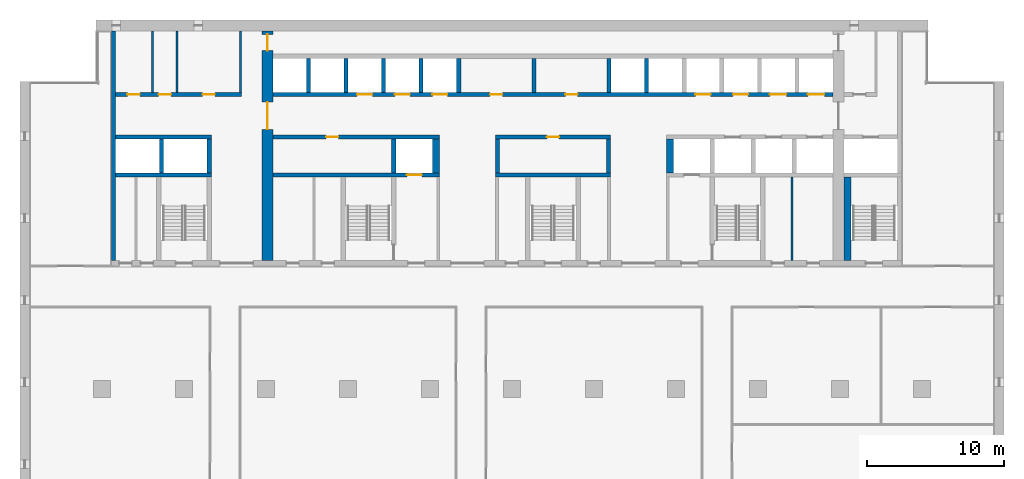
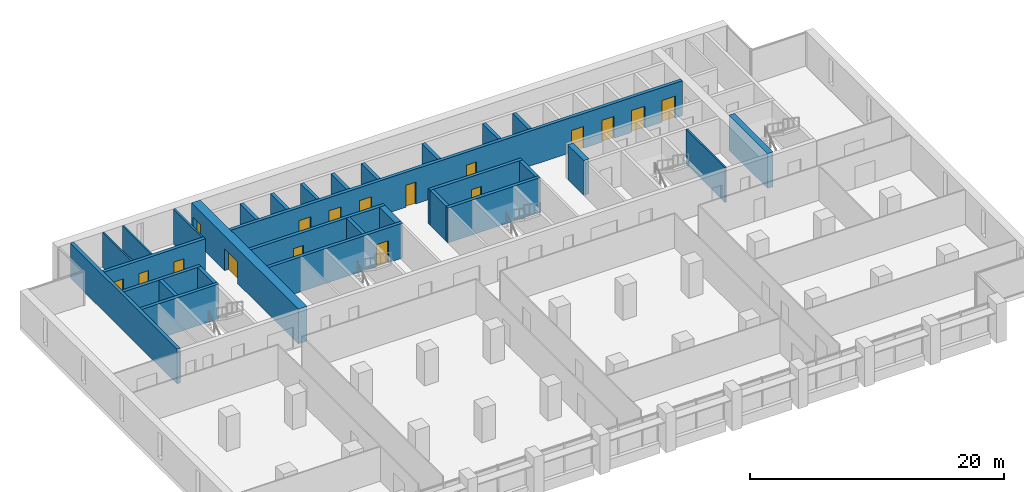
# One storey, part 10 of 16: 30 walls, 17 doors, 17 openings.
"""IFC4 building model written with IfcOpenShell, lengths in metres."""

from ifc_helpers import new_model, si_unit, direction, frame, frame_2d, origin, place, context, subcontext, project, spatial, rectangle, extrude, material, layer, layer_set, type_object, element, fill, save


model = new_model("IFC4")

# Units and contexts
model_context = context("Model", 3, precision=1e-05, world=origin(), true_north=direction((0.0, 1.0)))
body_context = subcontext(model_context, "Body", "Model", "MODEL_VIEW")
ifc_project = project(units=[si_unit("LENGTHUNIT", "METRE"), si_unit("AREAUNIT", "SQUARE_METRE"), si_unit("VOLUMEUNIT", "CUBIC_METRE"), si_unit("PLANEANGLEUNIT", "RADIAN"), si_unit("MASSUNIT", "GRAM", prefix="KILO")], contexts=[model_context])

# Site, building, storey
site_placement = place(None, origin())
site = spatial("IfcSite", under=ifc_project, at=site_placement, CompositionType="ELEMENT")
building_placement = place(site_placement, origin())
building = spatial("IfcBuilding", under=site, at=building_placement, Name="Calvaro Tower", CompositionType="ELEMENT")
storey_placement = place(building_placement, frame((0.0, 0.0, 136.25)))
storey = spatial("IfcBuildingStorey", under=building, at=storey_placement, Name="L34", CompositionType="ELEMENT", Elevation=136.25)

# Walls
ifc_material_1 = material(Name="Blockwork partition", Category="masonry")
ifc_layer_1 = layer(ifc_material_1, 0.14990234375)
ifc_layer_set_1 = layer_set([ifc_layer_1], Name="Blockwork partition")
wall_type_1 = type_object("IfcWallType", Name="Core partition 150 EI 60", PredefinedType="PARTITIONING", material=ifc_layer_set_1)
wall_1_placement = place(storey_placement, frame((56.5, 28.39990234375, 0.0), z_axis=(0.0, 0.0, 1.0), x_axis=(0.0, 1.0, 0.0)))
element("IfcWall", 1, at=wall_1_placement, inside=storey, type_object=wall_type_1, Name="Core partition", PredefinedType="PARTITIONING", context=body_context, shape_type="SweptSolid", body=[
    extrude(rectangle(XDim=6.10009765625, YDim=0.14990234375, at=frame_2d((3.050048828125, 0.0))), origin(), (0.0, 0.0, 1.0), 3.35009765625),
])
for number, where, z_axis, x_axis, name in (
    (2, (9.699951171875, 40.699951171875, 0.0), (0.0, 0.0, 1.0), (0.0, 1.0, 0.0), "Core partition"),
    (3, (11.5, 40.699951171875, 0.0), (0.0, 0.0, 1.0), (0.0, 1.0, 0.0), "Core partition"),
):
    element("IfcWall", number, at=place(storey_placement, frame(where, z_axis=z_axis, x_axis=x_axis)), inside=storey, type_object=wall_type_1, Name=name, PredefinedType="PARTITIONING", context=body_context, shape_type="SweptSolid", body=[
        extrude(rectangle(XDim=4.5, YDim=0.14990234375, at=frame_2d((2.25, 0.0))), origin(), (0.0, 0.0, 1.0), 3.35009765625),
    ])
ifc_material_2 = material(Name="Blockwork partition", Category="masonry")
ifc_layer_2 = layer(ifc_material_2, 0.14990234375)
ifc_layer_set_2 = layer_set([ifc_layer_2], Name="Blockwork partition")
wall_type_2 = type_object("IfcWallType", Name="Core partition 150 REI 120", PredefinedType="PARTITIONING", material=ifc_layer_set_2)
wall_2_placement = place(storey_placement, frame((16.125, 40.699951171875, 0.0), z_axis=(0.0, 0.0, 1.0), x_axis=(0.0, 1.0, 0.0)))
element("IfcWall", 4, at=wall_2_placement, inside=storey, type_object=wall_type_2, Name="Core partition", PredefinedType="PARTITIONING", context=body_context, shape_type="SweptSolid", body=[
    extrude(rectangle(XDim=4.5, YDim=0.14990234375, at=frame_2d((2.25, 0.0))), origin(), (0.0, 0.0, 1.0), 3.35009765625),
])

# Wall, openings, doors
ifc_material_3 = material(Name="Blockwork partition", Category="masonry")
ifc_layer_3 = layer(ifc_material_3, 0.300048828125)
ifc_layer_set_3 = layer_set([ifc_layer_3], Name="Blockwork partition")
wall_type_3 = type_object("IfcWallType", Name="Core partition 300 REI 120", PredefinedType="PARTITIONING", material=ifc_layer_set_3)
wall_3_placement = place(storey_placement, frame((7.0, 40.550048828125, 0.0), z_axis=(0.0, 0.0, 1.0), x_axis=(1.0, 0.0, 0.0)))
wall_3 = element("IfcWall", 5, at=wall_3_placement, inside=storey, type_object=wall_type_3, Name="Core partition", PredefinedType="PARTITIONING", context=body_context, shape_type="SweptSolid", body=[
    extrude(rectangle(XDim=9.199951171875, YDim=0.300048828125, at=frame_2d((4.60009765625, 0.0))), origin(), (0.0, 0.0, 1.0), 3.35009765625),
])
opening_1_placement = place(wall_3_placement, frame((0.862548828125, 0.0, 0.0)))
opening_1 = element("IfcOpeningElement", 6, at=opening_1_placement, cuts=wall_3, Name="Opening RD9", PredefinedType="OPENING", context=body_context, shape_type="SweptSolid", body=[
    extrude(rectangle(XDim=0.89990234375, YDim=2.10009765625, at=frame_2d((0.449951171875, 1.050048828125))), frame((0.0, 0.159912109375, 0.0), z_axis=(0.0, -1.0, 0.0), x_axis=(1.0, 0.0, 0.0)), (0.0, 0.0, 1.0), 0.320068359375),
])
opening_2_placement = place(wall_3_placement, frame((3.14990234375, 0.0, 0.0)))
opening_2 = element("IfcOpeningElement", 7, at=opening_2_placement, cuts=wall_3, Name="Opening RD9", PredefinedType="OPENING", context=body_context, shape_type="SweptSolid", body=[
    extrude(rectangle(XDim=0.89990234375, YDim=2.10009765625, at=frame_2d((0.449951171875, 1.050048828125))), frame((0.0, 0.159912109375, 0.0), z_axis=(0.0, -1.0, 0.0), x_axis=(1.0, 0.0, 0.0)), (0.0, 0.0, 1.0), 0.320068359375),
])
opening_3_placement = place(wall_3_placement, frame((6.362548828125, 0.0, 0.0)))
opening_3 = element("IfcOpeningElement", 8, at=opening_3_placement, cuts=wall_3, Name="Opening RD9", PredefinedType="OPENING", context=body_context, shape_type="SweptSolid", body=[
    extrude(rectangle(XDim=0.89990234375, YDim=2.10009765625, at=frame_2d((0.449951171875, 1.050048828125))), frame((0.0, 0.159912109375, 0.0), z_axis=(0.0, -1.0, 0.0), x_axis=(1.0, 0.0, 0.0)), (0.0, 0.0, 1.0), 0.320068359375),
])
ifc_material_4 = material(Name="Steel door set", Category="steel")
door_type_1 = type_object("IfcDoorType", Name="Room door 900", OperationType="SINGLE_SWING_LEFT", PredefinedType="DOOR", material=ifc_material_4)
door_1_placement = place(opening_1_placement, origin())
door_1 = element("IfcDoor", 9, at=door_1_placement, inside=storey, type_object=door_type_1, Name="Room door", OperationType="SINGLE_SWING_LEFT", OverallHeight=2.10009765625, OverallWidth=0.89990234375, PredefinedType="DOOR", context=body_context, shape_type="SweptSolid", body=[
    extrude(rectangle(XDim=0.89990234375, YDim=2.10009765625, at=frame_2d((0.449951171875, 1.050048828125))), frame((0.0, 0.02490234375, 0.0), z_axis=(0.0, -1.0, 0.0), x_axis=(1.0, 0.0, 0.0)), (0.0, 0.0, 1.0), 0.050048828125),
])
fill(opening_1, door_1)
door_2_placement = place(opening_2_placement, origin())
door_2 = element("IfcDoor", 10, at=door_2_placement, inside=storey, type_object=door_type_1, Name="Room door", OperationType="SINGLE_SWING_LEFT", OverallHeight=2.10009765625, OverallWidth=0.89990234375, PredefinedType="DOOR", context=body_context, shape_type="SweptSolid", body=[
    extrude(rectangle(XDim=0.89990234375, YDim=2.10009765625, at=frame_2d((0.449951171875, 1.050048828125))), frame((0.0, 0.02490234375, 0.0), z_axis=(0.0, -1.0, 0.0), x_axis=(1.0, 0.0, 0.0)), (0.0, 0.0, 1.0), 0.050048828125),
])
fill(opening_2, door_2)
door_3_placement = place(opening_3_placement, origin())
door_3 = element("IfcDoor", 11, at=door_3_placement, inside=storey, type_object=door_type_1, Name="Room door", OperationType="SINGLE_SWING_LEFT", OverallHeight=2.10009765625, OverallWidth=0.89990234375, PredefinedType="DOOR", context=body_context, shape_type="SweptSolid", body=[
    extrude(rectangle(XDim=0.89990234375, YDim=2.10009765625, at=frame_2d((0.449951171875, 1.050048828125))), frame((0.0, 0.02490234375, 0.0), z_axis=(0.0, -1.0, 0.0), x_axis=(1.0, 0.0, 0.0)), (0.0, 0.0, 1.0), 0.050048828125),
])
fill(opening_3, door_3)

# Walls
wall_4_placement = place(storey_placement, frame((37.60009765625, 40.699951171875, 0.0), z_axis=(0.0, 0.0, 1.0), x_axis=(0.0, 1.0, 0.0)))
element("IfcWall", 12, at=wall_4_placement, inside=storey, type_object=wall_type_3, Name="Core partition", PredefinedType="PARTITIONING", context=body_context, shape_type="SweptSolid", body=[
    extrude(rectangle(XDim=2.5, YDim=0.300048828125, at=frame_2d((1.25, 0.0))), origin(), (0.0, 0.0, 1.0), 3.35009765625),
])
ifc_material_5 = material(Name="Concrete C60/75", Category="concrete")
ifc_layer_4 = layer(ifc_material_5, 0.300048828125)
ifc_layer_set_4 = layer_set([ifc_layer_4], Name="Concrete C60/75")
wall_type_4 = type_object("IfcWallType", Name="Core wall C60/75 300", PredefinedType="SHEAR", material=ifc_layer_set_4)
wall_5_placement = place(storey_placement, frame((6.85009765625, 28.39990234375, 0.0), z_axis=(0.0, 0.0, 1.0), x_axis=(0.0, 1.0, 0.0)))
element("IfcWall", 13, at=wall_5_placement, inside=storey, type_object=wall_type_4, Name="Core wall, boundary", PredefinedType="SHEAR", context=body_context, shape_type="SweptSolid", body=[
    extrude(rectangle(XDim=16.800048828125, YDim=0.300048828125, at=frame_2d((8.39990234375, 0.0))), origin(), (0.0, 0.0, 1.0), 3.35009765625),
])
wall_6_placement = place(storey_placement, frame((7.0, 34.64990234375, 0.0), z_axis=(0.0, 0.0, 1.0), x_axis=(1.0, 0.0, 0.0)))
element("IfcWall", 14, at=wall_6_placement, inside=storey, type_object=wall_type_4, Name="Core wall, lift shaft", PredefinedType="SHEAR", context=body_context, shape_type="SweptSolid", body=[
    extrude(rectangle(XDim=7.0, YDim=0.300048828125, at=frame_2d((3.5, 0.0))), origin(), (0.0, 0.0, 1.0), 3.35009765625),
])

# Wall, opening, door
wall_7_placement = place(storey_placement, frame((18.5, 34.64990234375, 0.0), z_axis=(0.0, 0.0, 1.0), x_axis=(1.0, 0.0, 0.0)))
wall_7 = element("IfcWall", 15, at=wall_7_placement, inside=storey, type_object=wall_type_4, Name="Core wall, lift shaft", PredefinedType="SHEAR", context=body_context, shape_type="SweptSolid", body=[
    extrude(rectangle(XDim=12.199951171875, YDim=0.300048828125, at=frame_2d((6.10009765625, 0.0))), origin(), (0.0, 0.0, 1.0), 3.35009765625),
])
opening_4_placement = place(wall_7_placement, frame((9.800048828125, 0.0, 0.0)))
opening_4 = element("IfcOpeningElement", 16, at=opening_4_placement, cuts=wall_7, Name="Opening FF1", PredefinedType="OPENING", context=body_context, shape_type="SweptSolid", body=[
    extrude(rectangle(XDim=1.10009765625, YDim=2.10009765625, at=frame_2d((0.550048828125, 1.050048828125))), frame((0.0, 0.159912109375, 0.0), z_axis=(0.0, -1.0, 0.0), x_axis=(1.0, 0.0, 0.0)), (0.0, 0.0, 1.0), 0.320068359375),
])
ifc_material_6 = material(Name="Stainless steel", Category="steel")
door_type_2 = type_object("IfcDoorType", Name="Landing door 1100 E 60", OperationType="SLIDING_TO_LEFT", PredefinedType="DOOR", material=ifc_material_6)
door_4_placement = place(opening_4_placement, origin())
door_4 = element("IfcDoor", 17, at=door_4_placement, inside=storey, type_object=door_type_2, Name="Landing door FF1", OperationType="SLIDING_TO_LEFT", OverallHeight=2.10009765625, OverallWidth=1.10009765625, PredefinedType="DOOR", context=body_context, shape_type="SweptSolid", body=[
    extrude(rectangle(XDim=1.10009765625, YDim=2.10009765625, at=frame_2d((0.550048828125, 1.050048828125))), frame((0.0, 0.02490234375, 0.0), z_axis=(0.0, -1.0, 0.0), x_axis=(1.0, 0.0, 0.0)), (0.0, 0.0, 1.0), 0.050048828125),
])
fill(opening_4, door_4)

# Walls
wall_8_placement = place(storey_placement, frame((34.800048828125, 34.64990234375, 0.0), z_axis=(0.0, 0.0, 1.0), x_axis=(1.0, 0.0, 0.0)))
element("IfcWall", 18, at=wall_8_placement, inside=storey, type_object=wall_type_4, Name="Core wall, lift shaft", PredefinedType="SHEAR", context=body_context, shape_type="SweptSolid", body=[
    extrude(rectangle(XDim=8.39990234375, YDim=0.300048828125, at=frame_2d((4.199951171875, 0.0))), origin(), (0.0, 0.0, 1.0), 3.35009765625),
])
wall_9_placement = place(storey_placement, frame((7.0, 37.449951171875, 0.0), z_axis=(0.0, 0.0, 1.0), x_axis=(1.0, 0.0, 0.0)))
element("IfcWall", 19, at=wall_9_placement, inside=storey, type_object=wall_type_4, Name="Core wall, lift shaft", PredefinedType="SHEAR", context=body_context, shape_type="SweptSolid", body=[
    extrude(rectangle(XDim=7.0, YDim=0.300048828125, at=frame_2d((3.5, 0.0))), origin(), (0.0, 0.0, 1.0), 3.35009765625),
])

# Wall, opening, door
wall_10_placement = place(storey_placement, frame((30.699951171875, 37.449951171875, 0.0), z_axis=(0.0, 0.0, 1.0), x_axis=(-1.0, 0.0, 0.0)))
wall_10 = element("IfcWall", 20, at=wall_10_placement, inside=storey, type_object=wall_type_4, Name="Core wall, bay", PredefinedType="SHEAR", context=body_context, shape_type="SweptSolid", body=[
    extrude(rectangle(XDim=12.199951171875, YDim=0.300048828125, at=frame_2d((6.10009765625, 0.0))), origin(), (0.0, 0.0, 1.0), 3.35009765625),
])
opening_5_placement = place(wall_10_placement, frame((7.39990234375, 0.0, 0.0)))
opening_5 = element("IfcOpeningElement", 21, at=opening_5_placement, cuts=wall_10, Name="Opening RD9E", PredefinedType="OPENING", context=body_context, shape_type="SweptSolid", body=[
    extrude(rectangle(XDim=0.89990234375, YDim=2.10009765625, at=frame_2d((0.449951171875, 1.050048828125))), frame((0.0, 0.159912109375, 0.0), z_axis=(0.0, -1.0, 0.0), x_axis=(1.0, 0.0, 0.0)), (0.0, 0.0, 1.0), 0.320068359375),
])
ifc_material_7 = material(Name="Steel door set", Category="steel")
door_type_3 = type_object("IfcDoorType", Name="Room door 900 FD60", OperationType="SINGLE_SWING_LEFT", PredefinedType="DOOR", material=ifc_material_7)
door_5_placement = place(opening_5_placement, origin())
door_5 = element("IfcDoor", 22, at=door_5_placement, inside=storey, type_object=door_type_3, Name="Room door", OperationType="SINGLE_SWING_LEFT", OverallHeight=2.10009765625, OverallWidth=0.89990234375, PredefinedType="DOOR", context=body_context, shape_type="SweptSolid", body=[
    extrude(rectangle(XDim=0.89990234375, YDim=2.10009765625, at=frame_2d((0.449951171875, 1.050048828125))), frame((0.0, 0.02490234375, 0.0), z_axis=(0.0, -1.0, 0.0), x_axis=(1.0, 0.0, 0.0)), (0.0, 0.0, 1.0), 0.050048828125),
])
fill(opening_5, door_5)

wall_11_placement = place(storey_placement, frame((43.199951171875, 37.449951171875, 0.0), z_axis=(0.0, 0.0, 1.0), x_axis=(-1.0, 0.0, 0.0)))
wall_11 = element("IfcWall", 23, at=wall_11_placement, inside=storey, type_object=wall_type_4, Name="Core wall, bay", PredefinedType="SHEAR", context=body_context, shape_type="SweptSolid", body=[
    extrude(rectangle(XDim=8.39990234375, YDim=0.300048828125, at=frame_2d((4.199951171875, 0.0))), origin(), (0.0, 0.0, 1.0), 3.35009765625),
])
opening_6_placement = place(wall_11_placement, frame((3.75, 0.0, 0.0)))
opening_6 = element("IfcOpeningElement", 24, at=opening_6_placement, cuts=wall_11, Name="Opening RD9E", PredefinedType="OPENING", context=body_context, shape_type="SweptSolid", body=[
    extrude(rectangle(XDim=0.89990234375, YDim=2.10009765625, at=frame_2d((0.449951171875, 1.050048828125))), frame((0.0, 0.159912109375, 0.0), z_axis=(0.0, -1.0, 0.0), x_axis=(1.0, 0.0, 0.0)), (0.0, 0.0, 1.0), 0.320068359375),
])
door_6_placement = place(opening_6_placement, origin())
door_6 = element("IfcDoor", 25, at=door_6_placement, inside=storey, type_object=door_type_3, Name="Room door", OperationType="SINGLE_SWING_RIGHT", OverallHeight=2.10009765625, OverallWidth=0.89990234375, PredefinedType="DOOR", context=body_context, shape_type="SweptSolid", body=[
    extrude(rectangle(XDim=0.89990234375, YDim=2.10009765625, at=frame_2d((0.449951171875, 1.050048828125))), frame((0.0, 0.02490234375, 0.0), z_axis=(0.0, -1.0, 0.0), x_axis=(1.0, 0.0, 0.0)), (0.0, 0.0, 1.0), 0.050048828125),
])
fill(opening_6, door_6)

# Walls
for number, where, z_axis, x_axis, name in (
    (26, (27.35009765625, 34.800048828125, 0.0), (0.0, 0.0, 1.0), (0.0, 1.0, 0.0), "Core wall, lift shaft"),
    (27, (34.949951171875, 34.800048828125, 0.0), (0.0, 0.0, 1.0), (0.0, 1.0, 0.0), "Core wall, lift shaft"),
    (28, (43.050048828125, 34.800048828125, 0.0), (0.0, 0.0, 1.0), (0.0, 1.0, 0.0), "Core wall, lift shaft"),
    (29, (13.85009765625, 34.800048828125, 0.0), (0.0, 0.0, 1.0), (0.0, 1.0, 0.0), "Core wall, lift shaft"),
):
    element("IfcWall", number, at=place(storey_placement, frame(where, z_axis=z_axis, x_axis=x_axis)), inside=storey, type_object=wall_type_4, Name=name, PredefinedType="SHEAR", context=body_context, shape_type="SweptSolid", body=[
        extrude(rectangle(XDim=2.5, YDim=0.300048828125, at=frame_2d((1.25, 0.0))), origin(), (0.0, 0.0, 1.0), 3.35009765625),
    ])

# Wall, openings, doors
wall_12_placement = place(storey_placement, frame((18.5, 40.550048828125, 0.0), z_axis=(0.0, 0.0, 1.0), x_axis=(1.0, 0.0, 0.0)))
wall_12 = element("IfcWall", 30, at=wall_12_placement, inside=storey, type_object=wall_type_4, Name="Core wall, bay", PredefinedType="SHEAR", context=body_context, shape_type="SweptSolid", body=[
    extrude(rectangle(XDim=41.0, YDim=0.300048828125, at=frame_2d((20.5, 0.0))), origin(), (0.0, 0.0, 1.0), 3.35009765625),
])
opening_7_placement = place(wall_12_placement, frame((15.89990234375, 0.0, 0.0)))
opening_7 = element("IfcOpeningElement", 31, at=opening_7_placement, cuts=wall_12, Name="Opening RD9E", PredefinedType="OPENING", context=body_context, shape_type="SweptSolid", body=[
    extrude(rectangle(XDim=0.89990234375, YDim=2.10009765625, at=frame_2d((0.449951171875, 1.050048828125))), frame((0.0, 0.159912109375, 0.0), z_axis=(0.0, -1.0, 0.0), x_axis=(1.0, 0.0, 0.0)), (0.0, 0.0, 1.0), 0.320068359375),
])
opening_8_placement = place(wall_12_placement, frame((21.39990234375, 0.0, 0.0)))
opening_8 = element("IfcOpeningElement", 32, at=opening_8_placement, cuts=wall_12, Name="Opening RD9E", PredefinedType="OPENING", context=body_context, shape_type="SweptSolid", body=[
    extrude(rectangle(XDim=0.89990234375, YDim=2.10009765625, at=frame_2d((0.449951171875, 1.050048828125))), frame((0.0, 0.159912109375, 0.0), z_axis=(0.0, -1.0, 0.0), x_axis=(1.0, 0.0, 0.0)), (0.0, 0.0, 1.0), 0.320068359375),
])
opening_9_placement = place(wall_12_placement, frame((6.175048828125, 0.0, 0.0)))
opening_9 = element("IfcOpeningElement", 33, at=opening_9_placement, cuts=wall_12, Name="Opening MR4", PredefinedType="OPENING", context=body_context, shape_type="SweptSolid", body=[
    extrude(rectangle(XDim=1.10009765625, YDim=2.10009765625, at=frame_2d((0.550048828125, 1.050048828125))), frame((0.0, 0.159912109375, 0.0), z_axis=(0.0, -1.0, 0.0), x_axis=(1.0, 0.0, 0.0)), (0.0, 0.0, 1.0), 0.320068359375),
])
opening_10_placement = place(wall_12_placement, frame((8.925048828125, 0.0, 0.0)))
opening_10 = element("IfcOpeningElement", 34, at=opening_10_placement, cuts=wall_12, Name="Opening MR5", PredefinedType="OPENING", context=body_context, shape_type="SweptSolid", body=[
    extrude(rectangle(XDim=1.10009765625, YDim=2.10009765625, at=frame_2d((0.550048828125, 1.050048828125))), frame((0.0, 0.159912109375, 0.0), z_axis=(0.0, -1.0, 0.0), x_axis=(1.0, 0.0, 0.0)), (0.0, 0.0, 1.0), 0.320068359375),
])
opening_11_placement = place(wall_12_placement, frame((11.675048828125, 0.0, 0.0)))
opening_11 = element("IfcOpeningElement", 35, at=opening_11_placement, cuts=wall_12, Name="Opening MR6", PredefinedType="OPENING", context=body_context, shape_type="SweptSolid", body=[
    extrude(rectangle(XDim=1.10009765625, YDim=2.10009765625, at=frame_2d((0.550048828125, 1.050048828125))), frame((0.0, 0.159912109375, 0.0), z_axis=(0.0, -1.0, 0.0), x_axis=(1.0, 0.0, 0.0)), (0.0, 0.0, 1.0), 0.320068359375),
])
opening_12_placement = place(wall_12_placement, frame((30.925048828125, 0.0, 0.0)))
opening_12 = element("IfcOpeningElement", 36, at=opening_12_placement, cuts=wall_12, Name="Opening MR7", PredefinedType="OPENING", context=body_context, shape_type="SweptSolid", body=[
    extrude(rectangle(XDim=1.10009765625, YDim=2.10009765625, at=frame_2d((0.550048828125, 1.050048828125))), frame((0.0, 0.159912109375, 0.0), z_axis=(0.0, -1.0, 0.0), x_axis=(1.0, 0.0, 0.0)), (0.0, 0.0, 1.0), 0.320068359375),
])
opening_13_placement = place(wall_12_placement, frame((33.675048828125, 0.0, 0.0)))
opening_13 = element("IfcOpeningElement", 37, at=opening_13_placement, cuts=wall_12, Name="Opening MR8", PredefinedType="OPENING", context=body_context, shape_type="SweptSolid", body=[
    extrude(rectangle(XDim=1.10009765625, YDim=2.10009765625, at=frame_2d((0.550048828125, 1.050048828125))), frame((0.0, 0.159912109375, 0.0), z_axis=(0.0, -1.0, 0.0), x_axis=(1.0, 0.0, 0.0)), (0.0, 0.0, 1.0), 0.320068359375),
])
opening_14_placement = place(wall_12_placement, frame((36.375, 0.0, 0.0)))
opening_14 = element("IfcOpeningElement", 38, at=opening_14_placement, cuts=wall_12, Name="Opening SV1", PredefinedType="OPENING", context=body_context, shape_type="SweptSolid", body=[
    extrude(rectangle(XDim=1.199951171875, YDim=2.10009765625, at=frame_2d((0.60009765625, 1.050048828125))), frame((0.0, 0.159912109375, 0.0), z_axis=(0.0, -1.0, 0.0), x_axis=(1.0, 0.0, 0.0)), (0.0, 0.0, 1.0), 0.320068359375),
])
opening_15_placement = place(wall_12_placement, frame((39.14990234375, 0.0, 0.0)))
opening_15 = element("IfcOpeningElement", 39, at=opening_15_placement, cuts=wall_12, Name="Opening SV2", PredefinedType="OPENING", context=body_context, shape_type="SweptSolid", body=[
    extrude(rectangle(XDim=1.199951171875, YDim=2.10009765625, at=frame_2d((0.60009765625, 1.050048828125))), frame((0.0, 0.159912109375, 0.0), z_axis=(0.0, -1.0, 0.0), x_axis=(1.0, 0.0, 0.0)), (0.0, 0.0, 1.0), 0.320068359375),
])
door_7_placement = place(opening_9_placement, origin())
door_7 = element("IfcDoor", 40, at=door_7_placement, inside=storey, type_object=door_type_2, Name="Landing door MR4", OperationType="SLIDING_TO_LEFT", OverallHeight=2.10009765625, OverallWidth=1.10009765625, PredefinedType="DOOR", context=body_context, shape_type="SweptSolid", body=[
    extrude(rectangle(XDim=1.10009765625, YDim=2.10009765625, at=frame_2d((0.550048828125, 1.050048828125))), frame((0.0, 0.02490234375, 0.0), z_axis=(0.0, -1.0, 0.0), x_axis=(1.0, 0.0, 0.0)), (0.0, 0.0, 1.0), 0.050048828125),
])
fill(opening_9, door_7)
door_8_placement = place(opening_10_placement, origin())
door_8 = element("IfcDoor", 41, at=door_8_placement, inside=storey, type_object=door_type_2, Name="Landing door MR5", OperationType="SLIDING_TO_LEFT", OverallHeight=2.10009765625, OverallWidth=1.10009765625, PredefinedType="DOOR", context=body_context, shape_type="SweptSolid", body=[
    extrude(rectangle(XDim=1.10009765625, YDim=2.10009765625, at=frame_2d((0.550048828125, 1.050048828125))), frame((0.0, 0.02490234375, 0.0), z_axis=(0.0, -1.0, 0.0), x_axis=(1.0, 0.0, 0.0)), (0.0, 0.0, 1.0), 0.050048828125),
])
fill(opening_10, door_8)
door_9_placement = place(opening_11_placement, origin())
door_9 = element("IfcDoor", 42, at=door_9_placement, inside=storey, type_object=door_type_2, Name="Landing door MR6", OperationType="SLIDING_TO_LEFT", OverallHeight=2.10009765625, OverallWidth=1.10009765625, PredefinedType="DOOR", context=body_context, shape_type="SweptSolid", body=[
    extrude(rectangle(XDim=1.10009765625, YDim=2.10009765625, at=frame_2d((0.550048828125, 1.050048828125))), frame((0.0, 0.02490234375, 0.0), z_axis=(0.0, -1.0, 0.0), x_axis=(1.0, 0.0, 0.0)), (0.0, 0.0, 1.0), 0.050048828125),
])
fill(opening_11, door_9)
door_10_placement = place(opening_12_placement, origin())
door_10 = element("IfcDoor", 43, at=door_10_placement, inside=storey, type_object=door_type_2, Name="Landing door MR7", OperationType="SLIDING_TO_LEFT", OverallHeight=2.10009765625, OverallWidth=1.10009765625, PredefinedType="DOOR", context=body_context, shape_type="SweptSolid", body=[
    extrude(rectangle(XDim=1.10009765625, YDim=2.10009765625, at=frame_2d((0.550048828125, 1.050048828125))), frame((0.0, 0.02490234375, 0.0), z_axis=(0.0, -1.0, 0.0), x_axis=(1.0, 0.0, 0.0)), (0.0, 0.0, 1.0), 0.050048828125),
])
fill(opening_12, door_10)
door_11_placement = place(opening_13_placement, origin())
door_11 = element("IfcDoor", 44, at=door_11_placement, inside=storey, type_object=door_type_2, Name="Landing door MR8", OperationType="SLIDING_TO_LEFT", OverallHeight=2.10009765625, OverallWidth=1.10009765625, PredefinedType="DOOR", context=body_context, shape_type="SweptSolid", body=[
    extrude(rectangle(XDim=1.10009765625, YDim=2.10009765625, at=frame_2d((0.550048828125, 1.050048828125))), frame((0.0, 0.02490234375, 0.0), z_axis=(0.0, -1.0, 0.0), x_axis=(1.0, 0.0, 0.0)), (0.0, 0.0, 1.0), 0.050048828125),
])
fill(opening_13, door_11)
ifc_material_8 = material(Name="Stainless steel", Category="steel")
door_type_4 = type_object("IfcDoorType", Name="Landing door 1200 E 60", OperationType="SLIDING_TO_LEFT", PredefinedType="DOOR", material=ifc_material_8)
door_12_placement = place(opening_14_placement, origin())
door_12 = element("IfcDoor", 45, at=door_12_placement, inside=storey, type_object=door_type_4, Name="Landing door SV1", OperationType="SLIDING_TO_LEFT", OverallHeight=2.10009765625, OverallWidth=1.199951171875, PredefinedType="DOOR", context=body_context, shape_type="SweptSolid", body=[
    extrude(rectangle(XDim=1.199951171875, YDim=2.10009765625, at=frame_2d((0.60009765625, 1.050048828125))), frame((0.0, 0.02490234375, 0.0), z_axis=(0.0, -1.0, 0.0), x_axis=(1.0, 0.0, 0.0)), (0.0, 0.0, 1.0), 0.050048828125),
])
fill(opening_14, door_12)
door_13_placement = place(opening_15_placement, origin())
door_13 = element("IfcDoor", 46, at=door_13_placement, inside=storey, type_object=door_type_4, Name="Landing door SV2", OperationType="SLIDING_TO_LEFT", OverallHeight=2.10009765625, OverallWidth=1.199951171875, PredefinedType="DOOR", context=body_context, shape_type="SweptSolid", body=[
    extrude(rectangle(XDim=1.199951171875, YDim=2.10009765625, at=frame_2d((0.60009765625, 1.050048828125))), frame((0.0, 0.02490234375, 0.0), z_axis=(0.0, -1.0, 0.0), x_axis=(1.0, 0.0, 0.0)), (0.0, 0.0, 1.0), 0.050048828125),
])
fill(opening_15, door_13)
door_14_placement = place(opening_7_placement, origin())
door_14 = element("IfcDoor", 47, at=door_14_placement, inside=storey, type_object=door_type_3, Name="Room door", OperationType="SINGLE_SWING_LEFT", OverallHeight=2.10009765625, OverallWidth=0.89990234375, PredefinedType="DOOR", context=body_context, shape_type="SweptSolid", body=[
    extrude(rectangle(XDim=0.89990234375, YDim=2.10009765625, at=frame_2d((0.449951171875, 1.050048828125))), frame((0.0, 0.02490234375, 0.0), z_axis=(0.0, -1.0, 0.0), x_axis=(1.0, 0.0, 0.0)), (0.0, 0.0, 1.0), 0.050048828125),
])
fill(opening_7, door_14)
door_15_placement = place(opening_8_placement, origin())
door_15 = element("IfcDoor", 48, at=door_15_placement, inside=storey, type_object=door_type_3, Name="Room door", OperationType="SINGLE_SWING_LEFT", OverallHeight=2.10009765625, OverallWidth=0.89990234375, PredefinedType="DOOR", context=body_context, shape_type="SweptSolid", body=[
    extrude(rectangle(XDim=0.89990234375, YDim=2.10009765625, at=frame_2d((0.449951171875, 1.050048828125))), frame((0.0, 0.02490234375, 0.0), z_axis=(0.0, -1.0, 0.0), x_axis=(1.0, 0.0, 0.0)), (0.0, 0.0, 1.0), 0.050048828125),
])
fill(opening_8, door_15)

# Walls
for number, where, z_axis, x_axis, name in (
    (49, (21.10009765625, 40.699951171875, 0.0), (0.0, 0.0, 1.0), (0.0, 1.0, 0.0), "Core wall, lift shaft"),
    (50, (23.85009765625, 40.699951171875, 0.0), (0.0, 0.0, 1.0), (0.0, 1.0, 0.0), "Core wall, lift shaft"),
    (51, (26.60009765625, 40.699951171875, 0.0), (0.0, 0.0, 1.0), (0.0, 1.0, 0.0), "Core wall, lift shaft"),
    (52, (29.35009765625, 40.699951171875, 0.0), (0.0, 0.0, 1.0), (0.0, 1.0, 0.0), "Core wall, lift shaft"),
    (53, (32.10009765625, 40.699951171875, 0.0), (0.0, 0.0, 1.0), (0.0, 1.0, 0.0), "Core wall, lift shaft"),
    (54, (43.10009765625, 40.699951171875, 0.0), (0.0, 0.0, 1.0), (0.0, 1.0, 0.0), "Core wall, lift shaft"),
    (55, (45.85009765625, 40.699951171875, 0.0), (0.0, 0.0, 1.0), (0.0, 1.0, 0.0), "Core wall, lift shaft"),
    (56, (10.35009765625, 34.800048828125, 0.0), (0.0, 0.0, 1.0), (0.0, 1.0, 0.0), "Core wall, lift shaft"),
):
    element("IfcWall", number, at=place(storey_placement, frame(where, z_axis=z_axis, x_axis=x_axis)), inside=storey, type_object=wall_type_4, Name=name, PredefinedType="SHEAR", context=body_context, shape_type="SweptSolid", body=[
        extrude(rectangle(XDim=2.5, YDim=0.300048828125, at=frame_2d((1.25, 0.0))), origin(), (0.0, 0.0, 1.0), 3.35009765625),
    ])
ifc_material_9 = material(Name="Concrete C60/75", Category="concrete")
ifc_layer_5 = layer(ifc_material_9, 0.5)
ifc_layer_set_5 = layer_set([ifc_layer_5], Name="Concrete C60/75")
wall_type_5 = type_object("IfcWallType", Name="Core wall C60/75 500", PredefinedType="SHEAR", material=ifc_layer_set_5)
wall_13_placement = place(storey_placement, frame((60.550048828125, 28.39990234375, 0.0), z_axis=(0.0, 0.0, 1.0), x_axis=(0.0, 1.0, 0.0)))
element("IfcWall", 57, at=wall_13_placement, inside=storey, type_object=wall_type_5, Name="Core wall, stair enclosure", PredefinedType="SHEAR", context=body_context, shape_type="SweptSolid", body=[
    extrude(rectangle(XDim=6.10009765625, YDim=0.5, at=frame_2d((3.050048828125, 0.0))), origin(), (0.0, 0.0, 1.0), 3.35009765625),
])
for number, where, z_axis, x_axis, name in (
    (58, (30.449951171875, 34.800048828125, 0.0), (0.0, 0.0, 1.0), (0.0, 1.0, 0.0), "Core wall, lift shaft"),
    (59, (47.550048828125, 34.800048828125, 0.0), (0.0, 0.0, 1.0), (0.0, 1.0, 0.0), "Core wall, lift shaft"),
):
    element("IfcWall", number, at=place(storey_placement, frame(where, z_axis=z_axis, x_axis=x_axis)), inside=storey, type_object=wall_type_5, Name=name, PredefinedType="SHEAR", context=body_context, shape_type="SweptSolid", body=[
        extrude(rectangle(XDim=2.5, YDim=0.5, at=frame_2d((1.25, 0.0))), origin(), (0.0, 0.0, 1.0), 3.35009765625),
    ])

# Wall, openings, doors
ifc_material_10 = material(Name="Concrete C60/75", Category="concrete")
ifc_layer_6 = layer(ifc_material_10, 0.800048828125)
ifc_layer_set_6 = layer_set([ifc_layer_6], Name="Concrete C60/75")
wall_type_6 = type_object("IfcWallType", Name="Core wall C60/75 800", PredefinedType="SHEAR", material=ifc_layer_set_6)
wall_14_placement = place(storey_placement, frame((18.10009765625, 28.39990234375, 0.0), z_axis=(0.0, 0.0, 1.0), x_axis=(0.0, 1.0, 0.0)))
wall_14 = element("IfcWall", 60, at=wall_14_placement, inside=storey, type_object=wall_type_6, Name="Core wall, cross shear wall", PredefinedType="SHEAR", context=body_context, shape_type="SweptSolid", body=[
    extrude(rectangle(XDim=16.800048828125, YDim=0.800048828125, at=frame_2d((8.39990234375, 0.0))), origin(), (0.0, 0.0, 1.0), 3.35009765625),
])
opening_16_placement = place(wall_14_placement, frame((9.60009765625, 0.0, 0.0)))
opening_16 = element("IfcOpeningElement", 61, at=opening_16_placement, cuts=wall_14, Name="Opening DD20D", PredefinedType="OPENING", context=body_context, shape_type="SweptSolid", body=[
    extrude(rectangle(XDim=2.0, YDim=2.10009765625, at=frame_2d((1.0, 1.050048828125))), frame((0.0, 0.409912109375, 0.0), z_axis=(0.0, -1.0, 0.0), x_axis=(1.0, 0.0, 0.0)), (0.0, 0.0, 1.0), 0.820068359375),
])
opening_17_placement = place(wall_14_placement, frame((15.35009765625, 0.0, 0.0)))
opening_17 = element("IfcOpeningElement", 62, at=opening_17_placement, cuts=wall_14, Name="Opening FD12C", PredefinedType="OPENING", context=body_context, shape_type="SweptSolid", body=[
    extrude(rectangle(XDim=1.199951171875, YDim=2.10009765625, at=frame_2d((0.60009765625, 1.050048828125))), frame((0.0, 0.409912109375, 0.0), z_axis=(0.0, -1.0, 0.0), x_axis=(1.0, 0.0, 0.0)), (0.0, 0.0, 1.0), 0.820068359375),
])
ifc_material_11 = material(Name="Steel door set", Category="steel")
door_type_5 = type_object("IfcDoorType", Name="Fire door 1200 FD30", OperationType="SINGLE_SWING_LEFT", PredefinedType="DOOR", material=ifc_material_11)
door_16_placement = place(opening_17_placement, origin())
door_16 = element("IfcDoor", 63, at=door_16_placement, inside=storey, type_object=door_type_5, Name="Fire door", OperationType="SINGLE_SWING_LEFT", OverallHeight=2.10009765625, OverallWidth=1.199951171875, PredefinedType="DOOR", context=body_context, shape_type="SweptSolid", body=[
    extrude(rectangle(XDim=1.199951171875, YDim=2.10009765625, at=frame_2d((0.60009765625, 1.050048828125))), frame((0.0, 0.02490234375, 0.0), z_axis=(0.0, -1.0, 0.0), x_axis=(1.0, 0.0, 0.0)), (0.0, 0.0, 1.0), 0.050048828125),
])
fill(opening_17, door_16)
ifc_material_12 = material(Name="Steel door set", Category="steel")
door_type_6 = type_object("IfcDoorType", Name="Lobby double door 2000 FD30S", OperationType="DOUBLE_DOOR_SINGLE_SWING", PredefinedType="DOOR", material=ifc_material_12)
door_17_placement = place(opening_16_placement, origin())
door_17 = element("IfcDoor", 64, at=door_17_placement, inside=storey, type_object=door_type_6, Name="Lobby double door", OperationType="DOUBLE_DOOR_SINGLE_SWING", OverallHeight=2.10009765625, OverallWidth=2.0, PredefinedType="DOOR", context=body_context, shape_type="SweptSolid", body=[
    extrude(rectangle(XDim=2.0, YDim=2.10009765625, at=frame_2d((1.0, 1.050048828125))), frame((0.0, 0.02490234375, 0.0), z_axis=(0.0, -1.0, 0.0), x_axis=(1.0, 0.0, 0.0)), (0.0, 0.0, 1.0), 0.050048828125),
])
fill(opening_16, door_17)

save(model, "model.ifc")
